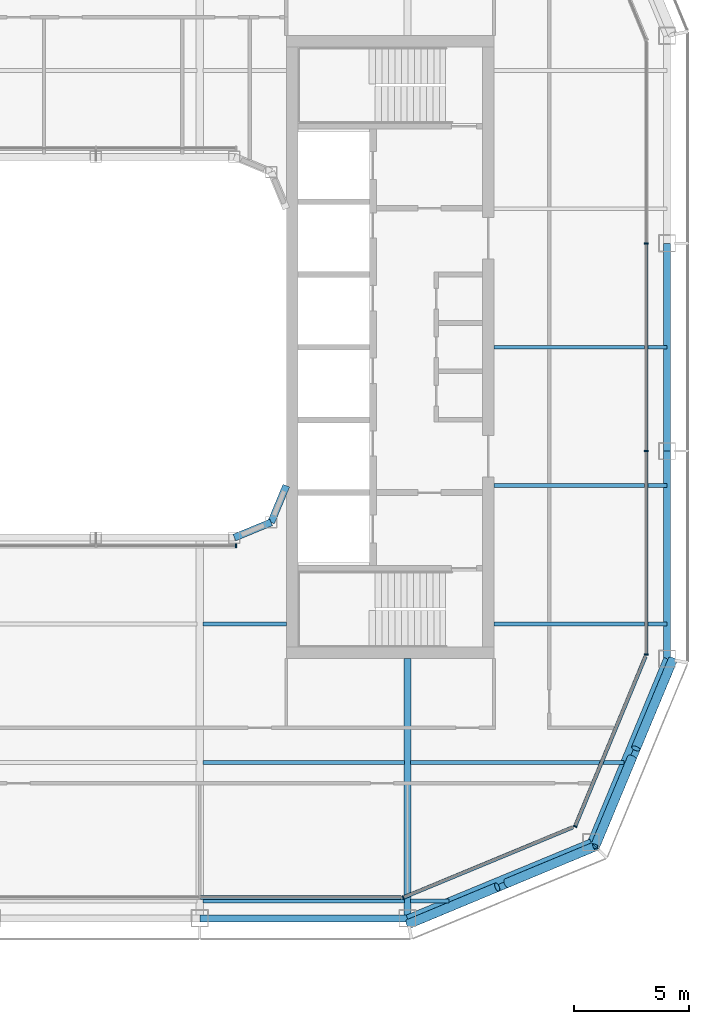
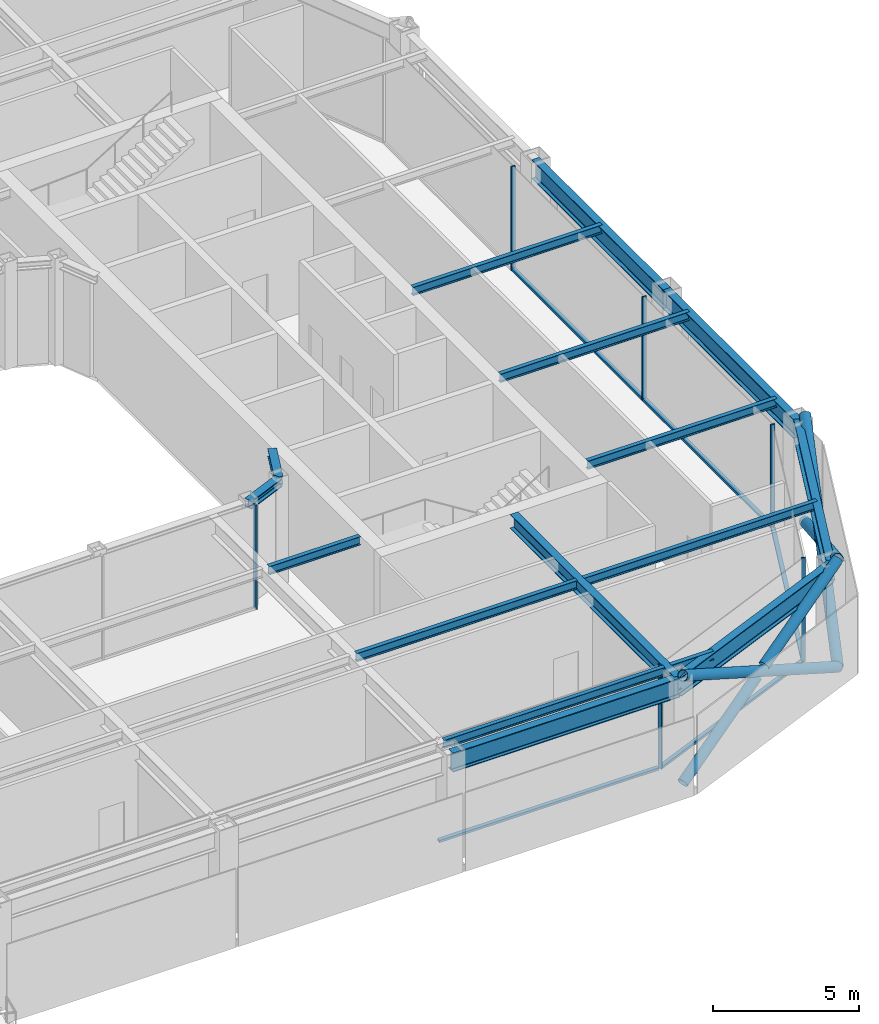
# One storey, part 5 of 20: 17 members, 16 beams, 5 elements without a shape of their own.
"""IFC4 building model written with IfcOpenShell, lengths in metres."""

from ifc_helpers import new_model, si_unit, direction, frame, origin, origin_2d, place, context, subcontext, project, spatial, rectangle, hollow_circle, i_section, extrude, material, layer, layer_set, material_profile, profile_set, type_object, element, aggregate, save


model = new_model("IFC4")

# Units and contexts
model_context = context("Model", 3, precision=1e-05, world=origin(), true_north=direction((0.0, 1.0)))
body_context = subcontext(model_context, "Body", "Model", "MODEL_VIEW")
ifc_project = project(units=[si_unit("LENGTHUNIT", "METRE"), si_unit("AREAUNIT", "SQUARE_METRE"), si_unit("VOLUMEUNIT", "CUBIC_METRE"), si_unit("PLANEANGLEUNIT", "RADIAN"), si_unit("MASSUNIT", "GRAM", prefix="KILO")], contexts=[model_context])

# Site, building, storey
site_placement = place(None, origin())
site = spatial("IfcSite", under=ifc_project, at=site_placement, CompositionType="ELEMENT")
building_placement = place(site_placement, origin())
building = spatial("IfcBuilding", under=site, at=building_placement, Name="Siwar Civic Tower", CompositionType="ELEMENT")
storey_placement = place(building_placement, frame((0.0, 0.0, 316.699951171875)))
storey = spatial("IfcBuildingStorey", under=building, at=storey_placement, Name="L68", CompositionType="ELEMENT", Elevation=316.699951171875)

# Curtain wall, member
ifc_material_1 = material(Name="Aluminium clad insulated panel", Category="aluminium")
ifc_layer_1 = layer(ifc_material_1, 0.159912109375)
ifc_layer_set_1 = layer_set([ifc_layer_1], Name="Aluminium clad insulated panel")
curtain_wall_type_1 = type_object("IfcCurtainWallType", Name="ENV-CW-DX", PredefinedType="NOTDEFINED", material=ifc_layer_set_1)
curtain_wall_1_placement = place(storey_placement, origin())
curtain_wall_1 = element("IfcCurtainWall", 1, at=curtain_wall_1_placement, inside=storey, type_object=curtain_wall_type_1, Name="Curtain wall D SE1", PredefinedType="NOTDEFINED")
ifc_material_2 = material(Name="Aluminium 6063-T6", Category="aluminium")
ifc_material_profile_1 = material_profile(ifc_material_2, rectangle(XDim=0.159912109375, YDim=0.06005859375, at=origin_2d()), Name="AL 160x60")
ifc_profile_set_1 = profile_set([ifc_material_profile_1], Name="Aluminium 6063-T6")
member_type_1 = type_object("IfcMemberType", Name="ENV-MULLION-D", PredefinedType="MULLION", material=ifc_profile_set_1)
member_1_placement = place(storey_placement, frame((13.321044921875, -23.85009765625, 0.0), z_axis=(0.0, 0.0, 1.0), x_axis=(-0.382683432365, 0.923879532511, 0.0)))
member_1 = element("IfcMember", 2, at=member_1_placement, type_object=member_type_1, Name="Mullion D SE1 1", PredefinedType="MULLION", context=body_context, shape_type="SweptSolid", body=[
    extrude(rectangle(XDim=0.159912109375, YDim=0.06005859375, at=origin_2d()), origin(), (0.0, 0.0, 1.0), 4.35009765625),
])

curtain_wall_2_placement = place(storey_placement, origin())
curtain_wall_2 = element("IfcCurtainWall", 3, at=curtain_wall_2_placement, inside=storey, type_object=curtain_wall_type_1, Name="Curtain wall D SE2", PredefinedType="NOTDEFINED")
member_2_placement = place(storey_placement, frame((20.76611328125, -20.76611328125, 0.0), z_axis=(0.0, 0.0, 1.0), x_axis=(-0.923879532511, 0.382683432365, 0.0)))
member_2 = element("IfcMember", 4, at=member_2_placement, type_object=member_type_1, Name="Mullion D SE2 1", PredefinedType="MULLION", context=body_context, shape_type="SweptSolid", body=[
    extrude(rectangle(XDim=0.159912109375, YDim=0.06005859375, at=origin_2d()), origin(), (0.0, 0.0, 1.0), 4.35009765625),
])

# Curtain wall, members
ifc_material_3 = material(Name="Aluminium and glass", Category="aluminium")
ifc_layer_2 = layer(ifc_material_3, 0.159912109375)
ifc_layer_set_2 = layer_set([ifc_layer_2], Name="Aluminium and glass")
curtain_wall_type_2 = type_object("IfcCurtainWallType", Name="ENV-CW-D", PredefinedType="NOTDEFINED", material=ifc_layer_set_2)
curtain_wall_3_placement = place(storey_placement, origin())
curtain_wall_3 = element("IfcCurtainWall", 5, at=curtain_wall_3_placement, inside=storey, type_object=curtain_wall_type_2, Name="Curtain wall D E", PredefinedType="NOTDEFINED")
member_3_placement = place(storey_placement, frame((23.85009765625, -13.321044921875, 0.0), z_axis=(0.0, 0.0, 1.0), x_axis=(-1.0, 0.0, 0.0)))
member_3 = element("IfcMember", 6, at=member_3_placement, type_object=member_type_1, Name="Mullion D E 1", PredefinedType="MULLION", context=body_context, shape_type="SweptSolid", body=[
    extrude(rectangle(XDim=0.159912109375, YDim=0.06005859375, at=origin_2d()), origin(), (0.0, 0.0, 1.0), 4.35009765625),
])
member_4_placement = place(storey_placement, frame((23.85009765625, -4.5, 0.0), z_axis=(0.0, 0.0, 1.0), x_axis=(-1.0, 0.0, 0.0)))
member_4 = element("IfcMember", 7, at=member_4_placement, type_object=member_type_1, Name="Mullion D E 2", PredefinedType="MULLION", context=body_context, shape_type="SweptSolid", body=[
    extrude(rectangle(XDim=0.159912109375, YDim=0.06005859375, at=origin_2d()), origin(), (0.0, 0.0, 1.0), 4.35009765625),
])
member_5_placement = place(storey_placement, frame((23.85009765625, 4.5, 0.0), z_axis=(0.0, 0.0, 1.0), x_axis=(-1.0, 0.0, 0.0)))
member_5 = element("IfcMember", 8, at=member_5_placement, type_object=member_type_1, Name="Mullion D E 3", PredefinedType="MULLION", context=body_context, shape_type="SweptSolid", body=[
    extrude(rectangle(XDim=0.159912109375, YDim=0.06005859375, at=origin_2d()), origin(), (0.0, 0.0, 1.0), 4.35009765625),
])

# Curtain wall, member
ifc_material_4 = material(Name="Aluminium and glass", Category="aluminium")
ifc_layer_3 = layer(ifc_material_4, 0.179931640625)
ifc_layer_set_3 = layer_set([ifc_layer_3], Name="Aluminium and glass")
curtain_wall_type_3 = type_object("IfcCurtainWallType", Name="ENV-CW-W", PredefinedType="NOTDEFINED", material=ifc_layer_set_3)
curtain_wall_4_placement = place(storey_placement, origin())
curtain_wall_4 = element("IfcCurtainWall", 9, at=curtain_wall_4_placement, inside=storey, type_object=curtain_wall_type_3, Name="Curtain wall W WS", PredefinedType="NOTDEFINED")
ifc_material_5 = material(Name="Aluminium 6063-T6", Category="aluminium")
ifc_material_profile_2 = material_profile(ifc_material_5, rectangle(XDim=0.179931640625, YDim=0.06005859375, at=origin_2d()), Name="AL 180x60")
ifc_profile_set_2 = profile_set([ifc_material_profile_2], Name="Aluminium 6063-T6")
member_type_2 = type_object("IfcMemberType", Name="ENV-MULLION-W", PredefinedType="MULLION", material=ifc_profile_set_2)
member_6_placement = place(storey_placement, frame((6.071533203125, -8.610107421875, 0.0), z_axis=(0.0, 0.0, 1.0), x_axis=(0.0, 1.0, 0.0)))
member_6 = element("IfcMember", 10, at=member_6_placement, type_object=member_type_2, Name="Mullion W WS 3", PredefinedType="MULLION", context=body_context, shape_type="SweptSolid", body=[
    extrude(rectangle(XDim=0.179931640625, YDim=0.06005859375, at=origin_2d()), origin(), (0.0, 0.0, 1.0), 4.35009765625),
])
aggregate(curtain_wall_4, [member_6])

curtain_wall_5_placement = place(storey_placement, origin())
curtain_wall_5 = element("IfcCurtainWall", 11, at=curtain_wall_5_placement, inside=storey, type_object=curtain_wall_type_2, Name="Curtain wall D S", PredefinedType="NOTDEFINED")
ifc_material_6 = material(Name="Aluminium 6063-T6", Category="aluminium")
ifc_material_profile_3 = material_profile(ifc_material_6, rectangle(XDim=0.159912109375, YDim=0.10009765625, at=origin_2d()), Name="AL 160x100")
ifc_profile_set_3 = profile_set([ifc_material_profile_3], Name="Aluminium 6063-T6")
member_type_3 = type_object("IfcMemberType", Name="ENV-TRANSOM-D", PredefinedType="USERDEFINED", material=ifc_profile_set_3)
member_7_placement = place(storey_placement, frame((4.530029296875, -23.85009765625, 0.050048828125), z_axis=(1.0, 0.0, 0.0), x_axis=(0.0, 1.0, 0.0)))
member_7 = element("IfcMember", 12, at=member_7_placement, type_object=member_type_3, Name="Transom D S 3", ObjectType="TRANSOM", PredefinedType="USERDEFINED", context=body_context, shape_type="SweptSolid", body=[
    extrude(rectangle(XDim=0.159912109375, YDim=0.10009765625, at=origin_2d()), origin(), (0.0, 0.0, 1.0), 8.693115234375),
])
aggregate(curtain_wall_5, [member_7])

# Member
member_8_placement = place(storey_placement, frame((13.3486328125, -23.838623046875, 0.050048828125), z_axis=(0.923872756612, 0.382699790424, 0.0), x_axis=(-0.382699790424, 0.923872756612, 0.0)))
member_8 = element("IfcMember", 13, at=member_8_placement, type_object=member_type_3, Name="Transom D SE1 1", ObjectType="TRANSOM", PredefinedType="USERDEFINED", context=body_context, shape_type="SweptSolid", body=[
    extrude(rectangle(XDim=0.159912109375, YDim=0.10009765625, at=origin_2d()), origin(), (0.0, 0.0, 1.0), 7.930908203125),
])

aggregate(curtain_wall_1, [member_1, member_8])

member_9_placement = place(storey_placement, frame((20.777587890625, -20.738525390625, 0.050048828125), z_axis=(0.382673515031, 0.923883640343, 0.0), x_axis=(-0.923883640343, 0.382673515031, 0.0)))
member_9 = element("IfcMember", 14, at=member_9_placement, type_object=member_type_3, Name="Transom D SE2 1", ObjectType="TRANSOM", PredefinedType="USERDEFINED", context=body_context, shape_type="SweptSolid", body=[
    extrude(rectangle(XDim=0.159912109375, YDim=0.10009765625, at=origin_2d()), origin(), (0.0, 0.0, 1.0), 7.930908203125),
])

aggregate(curtain_wall_2, [member_2, member_9])

member_10_placement = place(storey_placement, frame((23.85009765625, -13.291015625, 0.050048828125), z_axis=(0.0, 1.0, 0.0), x_axis=(-1.0, 0.0, 0.0)))
member_10 = element("IfcMember", 15, at=member_10_placement, type_object=member_type_3, Name="Transom D E 1", ObjectType="TRANSOM", PredefinedType="USERDEFINED", context=body_context, shape_type="SweptSolid", body=[
    extrude(rectangle(XDim=0.159912109375, YDim=0.10009765625, at=origin_2d()), origin(), (0.0, 0.0, 1.0), 8.760986328125),
])

member_11_placement = place(storey_placement, frame((23.85009765625, -4.469970703125, 0.050048828125), z_axis=(0.0, 1.0, 0.0), x_axis=(-1.0, 0.0, 0.0)))
member_11 = element("IfcMember", 16, at=member_11_placement, type_object=member_type_3, Name="Transom D E 2", ObjectType="TRANSOM", PredefinedType="USERDEFINED", context=body_context, shape_type="SweptSolid", body=[
    extrude(rectangle(XDim=0.159912109375, YDim=0.10009765625, at=origin_2d()), origin(), (0.0, 0.0, 1.0), 8.93994140625),
])

aggregate(curtain_wall_3, [member_3, member_4, member_5, member_10, member_11])

# Members
ifc_material_7 = material(Name="Steel S355", Category="steel")
ifc_material_profile_4 = material_profile(ifc_material_7, hollow_circle(Radius=0.203125, WallThickness=0.01611328125, at=origin_2d()), Name="CHS406.4x16")
ifc_profile_set_4 = profile_set([ifc_material_profile_4], Name="Steel S355")
member_type_4 = type_object("IfcMemberType", Name="STR-BR-CHS406.4x16", PredefinedType="BRACE", material=ifc_profile_set_4)
member_12_placement = place(storey_placement, frame((21.6318359375, -21.6318359375, 0.0), z_axis=(0.341671493852, 0.821142553604, 0.457149315816), x_axis=(-0.923264922524, 0.384163874976, 0.0)))
element("IfcMember", 17, at=member_12_placement, inside=storey, type_object=member_type_4, Name="L68/brc/DSE1-7-0-1", PredefinedType="BRACE", context=body_context, shape_type="SweptSolid", body=[
    extrude(hollow_circle(Radius=0.203125, WallThickness=0.01611328125, at=origin_2d()), origin(), (0.0, 0.0, 1.0), 9.843505859375),
])
for number, where, z_axis, x_axis, name in (
    (18, (24.9951171875, -13.548828125, 0.0), (-0.341659024948, -0.821130093572, 0.45718101459), (0.923267827529, -0.384156893273, 0.0), "L68/brc/DSE1-7-0-2"),
    (19, (23.229736328125, -17.791259765625, 2.362060546875), (-0.341652533125, -0.821166691915, 0.457120127208), (0.923276488787, -0.38413607648, 0.0), "L68/brc/DSE1-7-0-3"),
):
    element("IfcMember", number, at=place(storey_placement, frame(where, z_axis=z_axis, x_axis=x_axis)), inside=storey, type_object=member_type_4, Name=name, PredefinedType="BRACE", context=body_context, shape_type="SweptSolid", body=[
        extrude(hollow_circle(Radius=0.203125, WallThickness=0.01611328125, at=origin_2d()), origin(), (0.0, 0.0, 1.0), 4.677001953125),
    ])
member_13_placement = place(storey_placement, frame((21.6318359375, -21.6318359375, 0.0), z_axis=(-0.821142553604, -0.341671493852, 0.457149315816), x_axis=(0.384163874976, -0.923264922524, 0.0)))
element("IfcMember", 20, at=member_13_placement, inside=storey, type_object=member_type_4, Name="L68/brc/DSE1-7-0-0", PredefinedType="BRACE", context=body_context, shape_type="SweptSolid", body=[
    extrude(hollow_circle(Radius=0.203125, WallThickness=0.01611328125, at=origin_2d()), origin(), (0.0, 0.0, 1.0), 9.843505859375),
])
for number, where, z_axis, x_axis, name in (
    (21, (13.548828125, -24.9951171875, 0.0), (0.821130093572, 0.341659024948, 0.45718101459), (-0.384156893273, 0.923267827529, 0.0), "L68/brc/DSE1-7-0-4"),
    (22, (17.791259765625, -23.229736328125, 2.362060546875), (0.821166691915, 0.341652533125, 0.457120127208), (-0.38413607648, 0.923276488787, 0.0), "L68/brc/DSE1-7-0-5"),
):
    element("IfcMember", number, at=place(storey_placement, frame(where, z_axis=z_axis, x_axis=x_axis)), inside=storey, type_object=member_type_4, Name=name, PredefinedType="BRACE", context=body_context, shape_type="SweptSolid", body=[
        extrude(hollow_circle(Radius=0.203125, WallThickness=0.01611328125, at=origin_2d()), origin(), (0.0, 0.0, 1.0), 4.677001953125),
    ])

# Beams
ifc_material_8 = material(Name="Steel S355", Category="steel")
ifc_material_profile_5 = material_profile(ifc_material_8, i_section(OverallWidth=0.169921875, OverallDepth=0.360107421875, WebThickness=0.008056640625, FlangeThickness=0.0126953125, FilletRadius=0.01806640625, at=origin_2d()), Name="IPE360")
ifc_profile_set_5 = profile_set([ifc_material_profile_5], Name="Steel S355")
beam_type_1 = type_object("IfcBeamType", Name="STR-FB-IPE360", PredefinedType="JOIST", material=ifc_profile_set_5)
beam_1_placement = place(storey_placement, frame((4.6298828125, -24.0, 4.170166015625), z_axis=(1.0, 0.0, 0.0), x_axis=(0.0, 1.0, 0.0)))
element("IfcBeam", 23, at=beam_1_placement, inside=storey, type_object=beam_type_1, Name="L68/bm/F004", PredefinedType="JOIST", context=body_context, shape_type="SweptSolid", body=[
    extrude(i_section(OverallWidth=0.169921875, OverallDepth=0.360107421875, WebThickness=0.008056640625, FlangeThickness=0.0126953125, FilletRadius=0.01806640625, at=origin_2d()), origin(), (0.0, 0.0, 1.0), 8.740234375),
])
beam_2_placement = place(storey_placement, frame((13.6298828125, -24.0, 4.170166015625), z_axis=(1.0, 0.0, 0.0), x_axis=(0.0, 1.0, 0.0)))
element("IfcBeam", 24, at=beam_2_placement, inside=storey, type_object=beam_type_1, Name="L68/bm/F005", PredefinedType="JOIST", context=body_context, shape_type="SweptSolid", body=[
    extrude(i_section(OverallWidth=0.169921875, OverallDepth=0.360107421875, WebThickness=0.008056640625, FlangeThickness=0.0126953125, FilletRadius=0.01806640625, at=origin_2d()), origin(), (0.0, 0.0, 1.0), 1.6806640625),
])
beam_3_placement = place(storey_placement, frame((4.6298828125, -18.0, 4.170166015625), z_axis=(1.0, 0.0, 0.0), x_axis=(0.0, 1.0, 0.0)))
element("IfcBeam", 25, at=beam_3_placement, inside=storey, type_object=beam_type_1, Name="L68/bm/F009", PredefinedType="JOIST", context=body_context, shape_type="SweptSolid", body=[
    extrude(i_section(OverallWidth=0.169921875, OverallDepth=0.360107421875, WebThickness=0.008056640625, FlangeThickness=0.0126953125, FilletRadius=0.01806640625, at=origin_2d()), origin(), (0.0, 0.0, 1.0), 8.740234375),
])
beam_4_placement = place(storey_placement, frame((13.6298828125, -18.0, 4.170166015625), z_axis=(1.0, 0.0, 0.0), x_axis=(0.0, 1.0, 0.0)))
element("IfcBeam", 26, at=beam_4_placement, inside=storey, type_object=beam_type_1, Name="L68/bm/F010", PredefinedType="JOIST", context=body_context, shape_type="SweptSolid", body=[
    extrude(i_section(OverallWidth=0.169921875, OverallDepth=0.360107421875, WebThickness=0.008056640625, FlangeThickness=0.0126953125, FilletRadius=0.01806640625, at=origin_2d()), origin(), (0.0, 0.0, 1.0), 9.256103515625),
])
beam_5_placement = place(storey_placement, frame((4.6298828125, -12.0, 4.170166015625), z_axis=(1.0, 0.0, 0.0), x_axis=(0.0, 1.0, 0.0)))
element("IfcBeam", 27, at=beam_5_placement, inside=storey, type_object=beam_type_1, Name="L68/bm/F014", PredefinedType="JOIST", context=body_context, shape_type="SweptSolid", body=[
    extrude(i_section(OverallWidth=0.169921875, OverallDepth=0.360107421875, WebThickness=0.008056640625, FlangeThickness=0.0126953125, FilletRadius=0.01806640625, at=origin_2d()), origin(), (0.0, 0.0, 1.0), 3.6201171875),
])
for number, where, z_axis, x_axis, name in (
    (28, (17.25, -12.0, 4.170166015625), (1.0, 0.0, 0.0), (0.0, 1.0, 0.0), "L68/bm/F015"),
    (29, (17.25, -6.0, 4.170166015625), (1.0, 0.0, 0.0), (0.0, 1.0, 0.0), "L68/bm/F017"),
    (30, (17.25, 0.0, 4.170166015625), (1.0, 0.0, 0.0), (0.0, 1.0, 0.0), "L68/bm/F019"),
):
    element("IfcBeam", number, at=place(storey_placement, frame(where, z_axis=z_axis, x_axis=x_axis)), inside=storey, type_object=beam_type_1, Name=name, PredefinedType="JOIST", context=body_context, shape_type="SweptSolid", body=[
        extrude(i_section(OverallWidth=0.169921875, OverallDepth=0.360107421875, WebThickness=0.008056640625, FlangeThickness=0.0126953125, FilletRadius=0.01806640625, at=origin_2d()), origin(), (0.0, 0.0, 1.0), 7.5),
    ])
ifc_material_9 = material(Name="Steel S355", Category="steel")
ifc_material_profile_6 = material_profile(ifc_material_9, i_section(OverallWidth=0.300048828125, OverallDepth=0.60009765625, WebThickness=0.015380859375, FlangeThickness=0.030029296875, FilletRadius=0.027099609375, at=origin_2d()), Name="HEB600")
ifc_profile_set_6 = profile_set([ifc_material_profile_6], Name="Steel S355")
beam_type_2 = type_object("IfcBeamType", Name="STR-PG-HEB600", PredefinedType="BEAM", material=ifc_profile_set_6)
beam_6_placement = place(storey_placement, frame((13.5, -24.75, 4.050048828125), z_axis=(0.0, 1.0, 0.0), x_axis=(-1.0, 0.0, 0.0)))
element("IfcBeam", 31, at=beam_6_placement, inside=storey, type_object=beam_type_2, Name="L68/bm/G07", PredefinedType="BEAM", context=body_context, shape_type="SweptSolid", body=[
    extrude(i_section(OverallWidth=0.300048828125, OverallDepth=0.60009765625, WebThickness=0.015380859375, FlangeThickness=0.030029296875, FilletRadius=0.027099609375, at=origin_2d()), origin(), (0.0, 0.0, 1.0), 11.25),
])
ifc_material_10 = material(Name="Steel S355", Category="steel")
ifc_material_profile_7 = material_profile(ifc_material_10, i_section(OverallWidth=0.31005859375, OverallDepth=0.340087890625, WebThickness=0.02099609375, FlangeThickness=0.0390625, FilletRadius=0.027099609375, at=origin_2d()), Name="HEM300")
ifc_profile_set_7 = profile_set([ifc_material_profile_7], Name="Steel S355")
beam_type_3 = type_object("IfcBeamType", Name="STR-RB-HEM300", PredefinedType="BEAM", material=ifc_profile_set_7)
for number, where, z_axis, x_axis, name in (
    (32, (6.0, -8.25, 4.179931640625), (0.923901072997, 0.382631424892, 0.0), (-0.382631424892, 0.923901072997, 0.0), "L68/bm/RS3"),
    (33, (7.591064453125, -7.591064453125, 4.179931640625), (0.382631424892, 0.923901072997, 0.0), (-0.923901072997, 0.382631424892, 0.0), "L68/bm/RSEE"),
):
    element("IfcBeam", number, at=place(storey_placement, frame(where, z_axis=z_axis, x_axis=x_axis)), inside=storey, type_object=beam_type_3, Name=name, PredefinedType="BEAM", context=body_context, shape_type="SweptSolid", body=[
        extrude(i_section(OverallWidth=0.31005859375, OverallDepth=0.340087890625, WebThickness=0.02099609375, FlangeThickness=0.0390625, FilletRadius=0.027099609375, at=origin_2d()), origin(), (0.0, 0.0, 1.0), 1.72216796875),
    ])
ifc_material_11 = material(Name="Steel S355", Category="steel")
ifc_material_profile_8 = material_profile(ifc_material_11, i_section(OverallWidth=0.300048828125, OverallDepth=0.800048828125, WebThickness=0.017578125, FlangeThickness=0.032958984375, FilletRadius=0.030029296875, at=origin_2d()), Name="HEB800")
ifc_profile_set_8 = profile_set([ifc_material_profile_8], Name="Steel S355")
beam_type_4 = type_object("IfcBeamType", Name="STR-SB-HEB800", PredefinedType="BEAM", material=ifc_profile_set_8)
beam_7_placement = place(storey_placement, frame((4.5, -24.75, 3.949951171875), z_axis=(1.0, 0.0, 0.0), x_axis=(0.0, 1.0, 0.0)))
element("IfcBeam", 34, at=beam_7_placement, inside=storey, type_object=beam_type_4, Name="L68/bm/SS-2", PredefinedType="BEAM", context=body_context, shape_type="SweptSolid", body=[
    extrude(i_section(OverallWidth=0.300048828125, OverallDepth=0.800048828125, WebThickness=0.017578125, FlangeThickness=0.032958984375, FilletRadius=0.030029296875, at=origin_2d()), origin(), (0.0, 0.0, 1.0), 9.0),
])
for number, where, z_axis, x_axis, name in (
    (35, (13.5, -24.75, 3.949951171875), (0.923872720536, 0.382699877515, 0.0), (-0.382699877515, 0.923872720536, 0.0), "L68/bm/SSE1-0"),
    (36, (21.454833984375, -21.454833984375, 3.949951171875), (0.382699877515, 0.923872720536, 0.0), (-0.923872720536, 0.382699877515, 0.0), "L68/bm/SSE2-0"),
):
    element("IfcBeam", number, at=place(storey_placement, frame(where, z_axis=z_axis, x_axis=x_axis)), inside=storey, type_object=beam_type_4, Name=name, PredefinedType="BEAM", context=body_context, shape_type="SweptSolid", body=[
        extrude(i_section(OverallWidth=0.300048828125, OverallDepth=0.800048828125, WebThickness=0.017578125, FlangeThickness=0.032958984375, FilletRadius=0.030029296875, at=origin_2d()), origin(), (0.0, 0.0, 1.0), 8.6103515625),
    ])
for number, where, z_axis, x_axis, name in (
    (37, (24.75, -13.5, 3.949951171875), (0.0, 1.0, 0.0), (-1.0, 0.0, 0.0), "L68/bm/SE-0"),
    (38, (24.75, -4.5, 3.949951171875), (0.0, 1.0, 0.0), (-1.0, 0.0, 0.0), "L68/bm/SE-1"),
):
    element("IfcBeam", number, at=place(storey_placement, frame(where, z_axis=z_axis, x_axis=x_axis)), inside=storey, type_object=beam_type_4, Name=name, PredefinedType="BEAM", context=body_context, shape_type="SweptSolid", body=[
        extrude(i_section(OverallWidth=0.300048828125, OverallDepth=0.800048828125, WebThickness=0.017578125, FlangeThickness=0.032958984375, FilletRadius=0.030029296875, at=origin_2d()), origin(), (0.0, 0.0, 1.0), 9.0),
    ])

save(model, "model.ifc")
